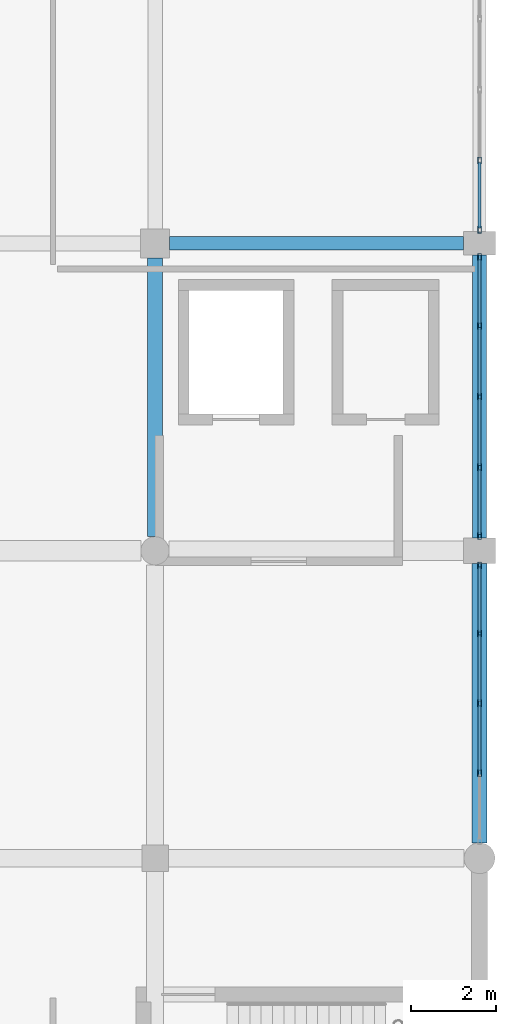
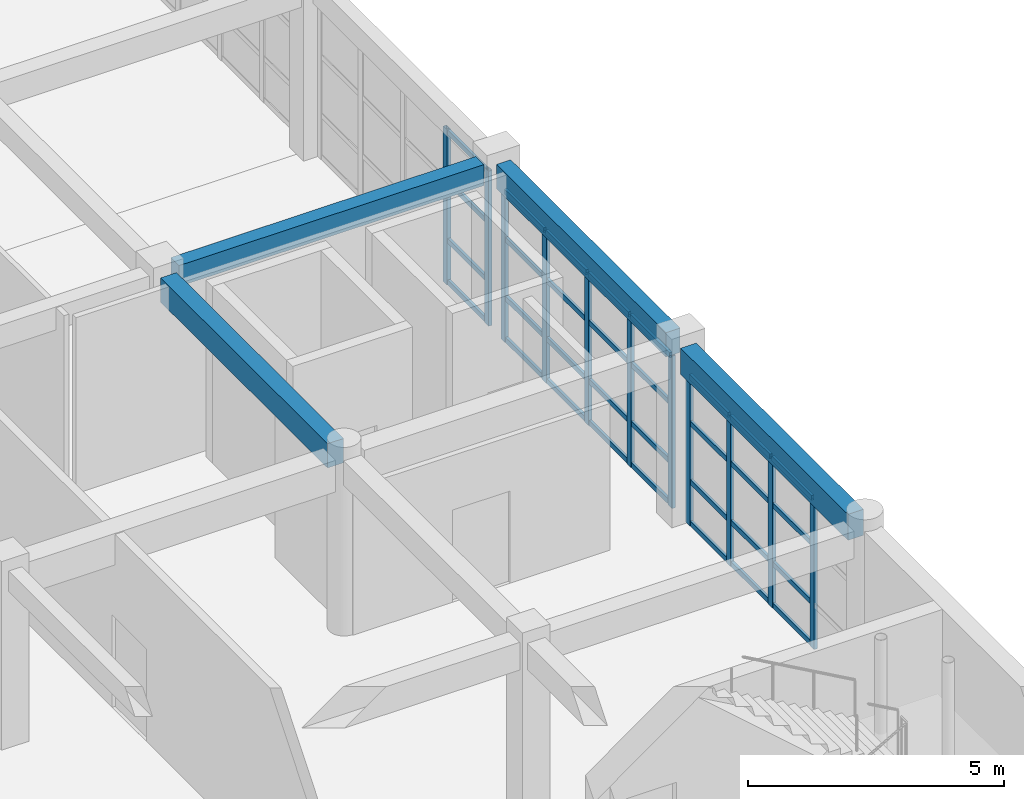
# One storey, part 100 of 160: 43 members, 4 beams, 3 elements without a shape of their own.
"""IFC4 building model written with IfcOpenShell, lengths in metres."""

from ifc_helpers import new_model, si_unit, direction, frame, origin, origin_2d, place, context, subcontext, project, spatial, rectangle, hollow_rectangle, extrude, material, material_profile, profile_set, type_object, element, aggregate, save


model = new_model("IFC4")

# Units and contexts
model_context = context("Model", 3, precision=1e-05, world=origin(), true_north=direction((0.0, 1.0)))
body_context = subcontext(model_context, "Body", "Model", "MODEL_VIEW")
ifc_project = project(units=[si_unit("LENGTHUNIT", "METRE"), si_unit("AREAUNIT", "SQUARE_METRE"), si_unit("VOLUMEUNIT", "CUBIC_METRE"), si_unit("PLANEANGLEUNIT", "RADIAN"), si_unit("MASSUNIT", "GRAM", prefix="KILO")], contexts=[model_context])

# Site, building, storey
site_placement = place(None, origin())
site = spatial("IfcSite", under=ifc_project, at=site_placement, CompositionType="ELEMENT")
building_placement = place(site_placement, origin())
building = spatial("IfcBuilding", under=site, at=building_placement, Name="Kharva Crest Polytechnic", CompositionType="ELEMENT")
storey_placement = place(building_placement, frame((0.0, 0.0, 4.5)))
storey = spatial("IfcBuildingStorey", under=building, at=storey_placement, Name="L01", CompositionType="ELEMENT", Elevation=4.5)

# Beams
ifc_material_1 = material(Name="Concrete C35/45", Category="concrete")
ifc_material_profile_1 = material_profile(ifc_material_1, rectangle(XDim=0.320068359375, YDim=0.5, at=origin_2d()), Name="RECT 320 X 500")
ifc_profile_set_1 = profile_set([ifc_material_profile_1], Name="Concrete C35/45")
beam_type_1 = type_object("IfcBeamType", Name="BM-RC-320X500", PredefinedType="BEAM", material=ifc_profile_set_1)
beam_1_placement = place(storey_placement, frame((176.739990234375, 93.199951171875, 3.969970703125), z_axis=(1.0, 0.0, 0.0), x_axis=(0.0, 1.0, 0.0)))
element("IfcBeam", 1, at=beam_1_placement, inside=storey, type_object=beam_type_1, Name="L01 Beam N/23-24", PredefinedType="BEAM", context=body_context, shape_type="SweptSolid", body=[
    extrude(rectangle(XDim=0.320068359375, YDim=0.5, at=origin_2d()), origin(), (0.0, 0.0, 1.0), 6.885009765625),
])
ifc_material_profile_2 = material_profile(ifc_material_1, rectangle(XDim=0.360107421875, YDim=0.580078125, at=origin_2d()), Name="RECT 360 X 580")
ifc_profile_set_2 = profile_set([ifc_material_profile_2], Name="Concrete C35/45")
beam_type_2 = type_object("IfcBeamType", Name="BM-RC-360X580", PredefinedType="BEAM", material=ifc_profile_set_2)
beam_2_placement = place(storey_placement, frame((176.39990234375, 86.330078125, 3.929931640625), z_axis=(0.0, 1.0, 0.0), x_axis=(-1.0, 0.0, 0.0)))
element("IfcBeam", 2, at=beam_2_placement, inside=storey, type_object=beam_type_2, Name="L01 Girder 23/M-N", PredefinedType="BEAM", context=body_context, shape_type="SweptSolid", body=[
    extrude(rectangle(XDim=0.360107421875, YDim=0.580078125, at=origin_2d()), origin(), (0.0, 0.0, 1.0), 6.530029296875),
])

# Curtain wall, members
ifc_material_2 = material(Name="Tempered insulated glass", Category="glass")
curtain_wall_type = type_object("IfcCurtainWallType", Name="CW-SYS-COURT", PredefinedType="USERDEFINED", material=ifc_material_2)
curtain_wall_1_placement = place(storey_placement, origin())
curtain_wall_1 = element("IfcCurtainWall", 3, at=curtain_wall_1_placement, inside=storey, type_object=curtain_wall_type, Name="L01 Glazed Curtain Wall CW-062", ObjectType="CURTAIN WALL", PredefinedType="USERDEFINED")
ifc_material_3 = material(Name="Steel S355", Category="steel")
ifc_material_profile_3 = material_profile(ifc_material_3, hollow_rectangle(XDim=0.080078125, YDim=0.159912109375, WallThickness=0.0048828125, at=origin_2d()), Name="RHS 160X80X5.0")
ifc_profile_set_3 = profile_set([ifc_material_profile_3], Name="Steel S355")
member_type_1 = type_object("IfcMemberType", Name="CWM-RHS160X80", PredefinedType="MULLION", material=ifc_profile_set_3)
member_1_placement = place(storey_placement, frame((184.0, 80.797607421875, 0.0), z_axis=(0.0, 0.0, 1.0), x_axis=(-1.0, 0.0, 0.0)))
member_1 = element("IfcMember", 4, at=member_1_placement, type_object=member_type_1, Name="CW-062 mullion 2", PredefinedType="MULLION", context=body_context, shape_type="SweptSolid", body=[
    extrude(hollow_rectangle(XDim=0.080078125, YDim=0.159912109375, WallThickness=0.0048828125, at=origin_2d()), origin(), (0.0, 0.0, 1.0), 3.60009765625),
])
member_2_placement = place(storey_placement, frame((184.0, 82.429931640625, 0.0), z_axis=(0.0, 0.0, 1.0), x_axis=(-1.0, 0.0, 0.0)))
member_2 = element("IfcMember", 5, at=member_2_placement, type_object=member_type_1, Name="CW-062 mullion 3", PredefinedType="MULLION", context=body_context, shape_type="SweptSolid", body=[
    extrude(hollow_rectangle(XDim=0.080078125, YDim=0.159912109375, WallThickness=0.0048828125, at=origin_2d()), origin(), (0.0, 0.0, 1.0), 3.60009765625),
])
member_3_placement = place(storey_placement, frame((184.0, 84.0625, 0.0), z_axis=(0.0, 0.0, 1.0), x_axis=(-1.0, 0.0, 0.0)))
member_3 = element("IfcMember", 6, at=member_3_placement, type_object=member_type_1, Name="CW-062 mullion 4", PredefinedType="MULLION", context=body_context, shape_type="SweptSolid", body=[
    extrude(hollow_rectangle(XDim=0.080078125, YDim=0.159912109375, WallThickness=0.0048828125, at=origin_2d()), origin(), (0.0, 0.0, 1.0), 3.60009765625),
])
member_4_placement = place(storey_placement, frame((184.0, 85.655029296875, 0.0), z_axis=(0.0, 0.0, 1.0), x_axis=(-1.0, 0.0, 0.0)))
member_4 = element("IfcMember", 7, at=member_4_placement, type_object=member_type_1, Name="CW-062 mullion 5", PredefinedType="MULLION", context=body_context, shape_type="SweptSolid", body=[
    extrude(hollow_rectangle(XDim=0.080078125, YDim=0.159912109375, WallThickness=0.0048828125, at=origin_2d()), origin(), (0.0, 0.0, 1.0), 3.60009765625),
])

curtain_wall_2_placement = place(storey_placement, origin())
curtain_wall_2 = element("IfcCurtainWall", 8, at=curtain_wall_2_placement, inside=storey, type_object=curtain_wall_type, Name="L01 Glazed Curtain Wall CW-063", ObjectType="CURTAIN WALL", PredefinedType="USERDEFINED")
member_5_placement = place(storey_placement, frame((184.0, 86.344970703125, 0.0), z_axis=(0.0, 0.0, 1.0), x_axis=(-1.0, 0.0, 0.0)))
member_5 = element("IfcMember", 9, at=member_5_placement, type_object=member_type_1, Name="CW-063 mullion 1", PredefinedType="MULLION", context=body_context, shape_type="SweptSolid", body=[
    extrude(hollow_rectangle(XDim=0.080078125, YDim=0.159912109375, WallThickness=0.0048828125, at=origin_2d()), origin(), (0.0, 0.0, 1.0), 3.639892578125),
])
member_6_placement = place(storey_placement, frame((184.0, 87.958740234375, 0.0), z_axis=(0.0, 0.0, 1.0), x_axis=(-1.0, 0.0, 0.0)))
member_6 = element("IfcMember", 10, at=member_6_placement, type_object=member_type_1, Name="CW-063 mullion 2", PredefinedType="MULLION", context=body_context, shape_type="SweptSolid", body=[
    extrude(hollow_rectangle(XDim=0.080078125, YDim=0.159912109375, WallThickness=0.0048828125, at=origin_2d()), origin(), (0.0, 0.0, 1.0), 3.639892578125),
])
member_7_placement = place(storey_placement, frame((184.0, 89.612548828125, 0.0), z_axis=(0.0, 0.0, 1.0), x_axis=(-1.0, 0.0, 0.0)))
member_7 = element("IfcMember", 11, at=member_7_placement, type_object=member_type_1, Name="CW-063 mullion 3", PredefinedType="MULLION", context=body_context, shape_type="SweptSolid", body=[
    extrude(hollow_rectangle(XDim=0.080078125, YDim=0.159912109375, WallThickness=0.0048828125, at=origin_2d()), origin(), (0.0, 0.0, 1.0), 3.639892578125),
])
member_8_placement = place(storey_placement, frame((184.0, 91.266357421875, 0.0), z_axis=(0.0, 0.0, 1.0), x_axis=(-1.0, 0.0, 0.0)))
member_8 = element("IfcMember", 12, at=member_8_placement, type_object=member_type_1, Name="CW-063 mullion 4", PredefinedType="MULLION", context=body_context, shape_type="SweptSolid", body=[
    extrude(hollow_rectangle(XDim=0.080078125, YDim=0.159912109375, WallThickness=0.0048828125, at=origin_2d()), origin(), (0.0, 0.0, 1.0), 3.639892578125),
])
member_9_placement = place(storey_placement, frame((184.0, 92.8798828125, 0.0), z_axis=(0.0, 0.0, 1.0), x_axis=(-1.0, 0.0, 0.0)))
member_9 = element("IfcMember", 13, at=member_9_placement, type_object=member_type_1, Name="CW-063 mullion 5", PredefinedType="MULLION", context=body_context, shape_type="SweptSolid", body=[
    extrude(hollow_rectangle(XDim=0.080078125, YDim=0.159912109375, WallThickness=0.0048828125, at=origin_2d()), origin(), (0.0, 0.0, 1.0), 3.639892578125),
])

curtain_wall_3_placement = place(storey_placement, origin())
curtain_wall_3 = element("IfcCurtainWall", 14, at=curtain_wall_3_placement, inside=storey, type_object=curtain_wall_type, Name="L01 Glazed Curtain Wall CW-064", ObjectType="CURTAIN WALL", PredefinedType="USERDEFINED")
member_10_placement = place(storey_placement, frame((184.0, 93.52001953125, 0.0), z_axis=(0.0, 0.0, 1.0), x_axis=(-1.0, 0.0, 0.0)))
member_10 = element("IfcMember", 15, at=member_10_placement, type_object=member_type_1, Name="CW-064 mullion 1", PredefinedType="MULLION", context=body_context, shape_type="SweptSolid", body=[
    extrude(hollow_rectangle(XDim=0.080078125, YDim=0.159912109375, WallThickness=0.0048828125, at=origin_2d()), origin(), (0.0, 0.0, 1.0), 3.699951171875),
])
member_11_placement = place(storey_placement, frame((184.0, 95.139892578125, 0.0), z_axis=(0.0, 0.0, 1.0), x_axis=(-1.0, 0.0, 0.0)))
member_11 = element("IfcMember", 16, at=member_11_placement, type_object=member_type_1, Name="CW-064 mullion 2", PredefinedType="MULLION", context=body_context, shape_type="SweptSolid", body=[
    extrude(hollow_rectangle(XDim=0.080078125, YDim=0.159912109375, WallThickness=0.0048828125, at=origin_2d()), origin(), (0.0, 0.0, 1.0), 3.699951171875),
])

# Member
ifc_material_profile_4 = material_profile(ifc_material_3, hollow_rectangle(XDim=0.06005859375, YDim=0.1201171875, WallThickness=0.00390625, at=origin_2d()), Name="RHS 120X60X4.0")
ifc_profile_set_4 = profile_set([ifc_material_profile_4], Name="Steel S355")
member_type_2 = type_object("IfcMemberType", Name="CWT-RHS120X60", PredefinedType="USERDEFINED", material=ifc_profile_set_4)
member_12_placement = place(storey_placement, frame((184.0, 80.83740234375, 0.06005859375), z_axis=(0.0, 1.0, 0.0), x_axis=(-1.0, 0.0, 0.0)))
member_12 = element("IfcMember", 17, at=member_12_placement, type_object=member_type_2, Name="CW-062 transom 2.1", ObjectType="TRANSOM", PredefinedType="USERDEFINED", context=body_context, shape_type="SweptSolid", body=[
    extrude(hollow_rectangle(XDim=0.06005859375, YDim=0.1201171875, WallThickness=0.00390625, at=origin_2d()), origin(), (0.0, 0.0, 1.0), 1.552490234375),
])

member_13_placement = place(storey_placement, frame((184.0, 80.83740234375, 1.050048828125), z_axis=(0.0, 1.0, 0.0), x_axis=(-1.0, 0.0, 0.0)))
member_13 = element("IfcMember", 18, at=member_13_placement, type_object=member_type_2, Name="CW-062 transom 2.2", ObjectType="TRANSOM", PredefinedType="USERDEFINED", context=body_context, shape_type="SweptSolid", body=[
    extrude(hollow_rectangle(XDim=0.06005859375, YDim=0.1201171875, WallThickness=0.00390625, at=origin_2d()), origin(), (0.0, 0.0, 1.0), 1.552490234375),
])

member_14_placement = place(storey_placement, frame((184.0, 80.83740234375, 2.449951171875), z_axis=(0.0, 1.0, 0.0), x_axis=(-1.0, 0.0, 0.0)))
member_14 = element("IfcMember", 19, at=member_14_placement, type_object=member_type_2, Name="CW-062 transom 2.3", ObjectType="TRANSOM", PredefinedType="USERDEFINED", context=body_context, shape_type="SweptSolid", body=[
    extrude(hollow_rectangle(XDim=0.06005859375, YDim=0.1201171875, WallThickness=0.00390625, at=origin_2d()), origin(), (0.0, 0.0, 1.0), 1.552490234375),
])

member_15_placement = place(storey_placement, frame((184.0, 80.83740234375, 3.5400390625), z_axis=(0.0, 1.0, 0.0), x_axis=(-1.0, 0.0, 0.0)))
member_15 = element("IfcMember", 20, at=member_15_placement, type_object=member_type_2, Name="CW-062 transom 2.4", ObjectType="TRANSOM", PredefinedType="USERDEFINED", context=body_context, shape_type="SweptSolid", body=[
    extrude(hollow_rectangle(XDim=0.06005859375, YDim=0.1201171875, WallThickness=0.00390625, at=origin_2d()), origin(), (0.0, 0.0, 1.0), 1.552490234375),
])

member_16_placement = place(storey_placement, frame((184.0, 82.469970703125, 0.06005859375), z_axis=(0.0, 1.0, 0.0), x_axis=(-1.0, 0.0, 0.0)))
member_16 = element("IfcMember", 21, at=member_16_placement, type_object=member_type_2, Name="CW-062 transom 3.1", ObjectType="TRANSOM", PredefinedType="USERDEFINED", context=body_context, shape_type="SweptSolid", body=[
    extrude(hollow_rectangle(XDim=0.06005859375, YDim=0.1201171875, WallThickness=0.00390625, at=origin_2d()), origin(), (0.0, 0.0, 1.0), 1.552490234375),
])

member_17_placement = place(storey_placement, frame((184.0, 82.469970703125, 1.050048828125), z_axis=(0.0, 1.0, 0.0), x_axis=(-1.0, 0.0, 0.0)))
member_17 = element("IfcMember", 22, at=member_17_placement, type_object=member_type_2, Name="CW-062 transom 3.2", ObjectType="TRANSOM", PredefinedType="USERDEFINED", context=body_context, shape_type="SweptSolid", body=[
    extrude(hollow_rectangle(XDim=0.06005859375, YDim=0.1201171875, WallThickness=0.00390625, at=origin_2d()), origin(), (0.0, 0.0, 1.0), 1.552490234375),
])

member_18_placement = place(storey_placement, frame((184.0, 82.469970703125, 2.449951171875), z_axis=(0.0, 1.0, 0.0), x_axis=(-1.0, 0.0, 0.0)))
member_18 = element("IfcMember", 23, at=member_18_placement, type_object=member_type_2, Name="CW-062 transom 3.3", ObjectType="TRANSOM", PredefinedType="USERDEFINED", context=body_context, shape_type="SweptSolid", body=[
    extrude(hollow_rectangle(XDim=0.06005859375, YDim=0.1201171875, WallThickness=0.00390625, at=origin_2d()), origin(), (0.0, 0.0, 1.0), 1.552490234375),
])

member_19_placement = place(storey_placement, frame((184.0, 82.469970703125, 3.5400390625), z_axis=(0.0, 1.0, 0.0), x_axis=(-1.0, 0.0, 0.0)))
member_19 = element("IfcMember", 24, at=member_19_placement, type_object=member_type_2, Name="CW-062 transom 3.4", ObjectType="TRANSOM", PredefinedType="USERDEFINED", context=body_context, shape_type="SweptSolid", body=[
    extrude(hollow_rectangle(XDim=0.06005859375, YDim=0.1201171875, WallThickness=0.00390625, at=origin_2d()), origin(), (0.0, 0.0, 1.0), 1.552490234375),
])

member_20_placement = place(storey_placement, frame((184.0, 84.1025390625, 0.06005859375), z_axis=(0.0, 1.0, 0.0), x_axis=(-1.0, 0.0, 0.0)))
member_20 = element("IfcMember", 25, at=member_20_placement, type_object=member_type_2, Name="CW-062 transom 4.1", ObjectType="TRANSOM", PredefinedType="USERDEFINED", context=body_context, shape_type="SweptSolid", body=[
    extrude(hollow_rectangle(XDim=0.06005859375, YDim=0.1201171875, WallThickness=0.00390625, at=origin_2d()), origin(), (0.0, 0.0, 1.0), 1.512451171875),
])

member_21_placement = place(storey_placement, frame((184.0, 84.1025390625, 1.050048828125), z_axis=(0.0, 1.0, 0.0), x_axis=(-1.0, 0.0, 0.0)))
member_21 = element("IfcMember", 26, at=member_21_placement, type_object=member_type_2, Name="CW-062 transom 4.2", ObjectType="TRANSOM", PredefinedType="USERDEFINED", context=body_context, shape_type="SweptSolid", body=[
    extrude(hollow_rectangle(XDim=0.06005859375, YDim=0.1201171875, WallThickness=0.00390625, at=origin_2d()), origin(), (0.0, 0.0, 1.0), 1.512451171875),
])

member_22_placement = place(storey_placement, frame((184.0, 84.1025390625, 2.449951171875), z_axis=(0.0, 1.0, 0.0), x_axis=(-1.0, 0.0, 0.0)))
member_22 = element("IfcMember", 27, at=member_22_placement, type_object=member_type_2, Name="CW-062 transom 4.3", ObjectType="TRANSOM", PredefinedType="USERDEFINED", context=body_context, shape_type="SweptSolid", body=[
    extrude(hollow_rectangle(XDim=0.06005859375, YDim=0.1201171875, WallThickness=0.00390625, at=origin_2d()), origin(), (0.0, 0.0, 1.0), 1.512451171875),
])

member_23_placement = place(storey_placement, frame((184.0, 84.1025390625, 3.5400390625), z_axis=(0.0, 1.0, 0.0), x_axis=(-1.0, 0.0, 0.0)))
member_23 = element("IfcMember", 28, at=member_23_placement, type_object=member_type_2, Name="CW-062 transom 4.4", ObjectType="TRANSOM", PredefinedType="USERDEFINED", context=body_context, shape_type="SweptSolid", body=[
    extrude(hollow_rectangle(XDim=0.06005859375, YDim=0.1201171875, WallThickness=0.00390625, at=origin_2d()), origin(), (0.0, 0.0, 1.0), 1.512451171875),
])

aggregate(curtain_wall_1, [member_1, member_2, member_3, member_4, member_12, member_13, member_14, member_15, member_16, member_17, member_18, member_19, member_20, member_21, member_22, member_23])

member_24_placement = place(storey_placement, frame((184.0, 86.385009765625, 0.06005859375), z_axis=(0.0, 1.0, 0.0), x_axis=(-1.0, 0.0, 0.0)))
member_24 = element("IfcMember", 29, at=member_24_placement, type_object=member_type_2, Name="CW-063 transom 1.1", ObjectType="TRANSOM", PredefinedType="USERDEFINED", context=body_context, shape_type="SweptSolid", body=[
    extrude(hollow_rectangle(XDim=0.06005859375, YDim=0.1201171875, WallThickness=0.00390625, at=origin_2d()), origin(), (0.0, 0.0, 1.0), 1.53369140625),
])

member_25_placement = place(storey_placement, frame((184.0, 86.385009765625, 1.050048828125), z_axis=(0.0, 1.0, 0.0), x_axis=(-1.0, 0.0, 0.0)))
member_25 = element("IfcMember", 30, at=member_25_placement, type_object=member_type_2, Name="CW-063 transom 1.2", ObjectType="TRANSOM", PredefinedType="USERDEFINED", context=body_context, shape_type="SweptSolid", body=[
    extrude(hollow_rectangle(XDim=0.06005859375, YDim=0.1201171875, WallThickness=0.00390625, at=origin_2d()), origin(), (0.0, 0.0, 1.0), 1.53369140625),
])

member_26_placement = place(storey_placement, frame((184.0, 86.385009765625, 2.449951171875), z_axis=(0.0, 1.0, 0.0), x_axis=(-1.0, 0.0, 0.0)))
member_26 = element("IfcMember", 31, at=member_26_placement, type_object=member_type_2, Name="CW-063 transom 1.3", ObjectType="TRANSOM", PredefinedType="USERDEFINED", context=body_context, shape_type="SweptSolid", body=[
    extrude(hollow_rectangle(XDim=0.06005859375, YDim=0.1201171875, WallThickness=0.00390625, at=origin_2d()), origin(), (0.0, 0.0, 1.0), 1.53369140625),
])

member_27_placement = place(storey_placement, frame((184.0, 86.385009765625, 3.580078125), z_axis=(0.0, 1.0, 0.0), x_axis=(-1.0, 0.0, 0.0)))
member_27 = element("IfcMember", 32, at=member_27_placement, type_object=member_type_2, Name="CW-063 transom 1.4", ObjectType="TRANSOM", PredefinedType="USERDEFINED", context=body_context, shape_type="SweptSolid", body=[
    extrude(hollow_rectangle(XDim=0.06005859375, YDim=0.1201171875, WallThickness=0.00390625, at=origin_2d()), origin(), (0.0, 0.0, 1.0), 1.53369140625),
])

member_28_placement = place(storey_placement, frame((184.0, 87.998779296875, 0.06005859375), z_axis=(0.0, 1.0, 0.0), x_axis=(-1.0, 0.0, 0.0)))
member_28 = element("IfcMember", 33, at=member_28_placement, type_object=member_type_2, Name="CW-063 transom 2.1", ObjectType="TRANSOM", PredefinedType="USERDEFINED", context=body_context, shape_type="SweptSolid", body=[
    extrude(hollow_rectangle(XDim=0.06005859375, YDim=0.1201171875, WallThickness=0.00390625, at=origin_2d()), origin(), (0.0, 0.0, 1.0), 1.57373046875),
])

member_29_placement = place(storey_placement, frame((184.0, 87.998779296875, 1.050048828125), z_axis=(0.0, 1.0, 0.0), x_axis=(-1.0, 0.0, 0.0)))
member_29 = element("IfcMember", 34, at=member_29_placement, type_object=member_type_2, Name="CW-063 transom 2.2", ObjectType="TRANSOM", PredefinedType="USERDEFINED", context=body_context, shape_type="SweptSolid", body=[
    extrude(hollow_rectangle(XDim=0.06005859375, YDim=0.1201171875, WallThickness=0.00390625, at=origin_2d()), origin(), (0.0, 0.0, 1.0), 1.57373046875),
])

member_30_placement = place(storey_placement, frame((184.0, 87.998779296875, 2.449951171875), z_axis=(0.0, 1.0, 0.0), x_axis=(-1.0, 0.0, 0.0)))
member_30 = element("IfcMember", 35, at=member_30_placement, type_object=member_type_2, Name="CW-063 transom 2.3", ObjectType="TRANSOM", PredefinedType="USERDEFINED", context=body_context, shape_type="SweptSolid", body=[
    extrude(hollow_rectangle(XDim=0.06005859375, YDim=0.1201171875, WallThickness=0.00390625, at=origin_2d()), origin(), (0.0, 0.0, 1.0), 1.57373046875),
])

member_31_placement = place(storey_placement, frame((184.0, 87.998779296875, 3.580078125), z_axis=(0.0, 1.0, 0.0), x_axis=(-1.0, 0.0, 0.0)))
member_31 = element("IfcMember", 36, at=member_31_placement, type_object=member_type_2, Name="CW-063 transom 2.4", ObjectType="TRANSOM", PredefinedType="USERDEFINED", context=body_context, shape_type="SweptSolid", body=[
    extrude(hollow_rectangle(XDim=0.06005859375, YDim=0.1201171875, WallThickness=0.00390625, at=origin_2d()), origin(), (0.0, 0.0, 1.0), 1.57373046875),
])

member_32_placement = place(storey_placement, frame((184.0, 89.652587890625, 0.06005859375), z_axis=(0.0, 1.0, 0.0), x_axis=(-1.0, 0.0, 0.0)))
member_32 = element("IfcMember", 37, at=member_32_placement, type_object=member_type_2, Name="CW-063 transom 3.1", ObjectType="TRANSOM", PredefinedType="USERDEFINED", context=body_context, shape_type="SweptSolid", body=[
    extrude(hollow_rectangle(XDim=0.06005859375, YDim=0.1201171875, WallThickness=0.00390625, at=origin_2d()), origin(), (0.0, 0.0, 1.0), 1.57373046875),
])

member_33_placement = place(storey_placement, frame((184.0, 89.652587890625, 1.050048828125), z_axis=(0.0, 1.0, 0.0), x_axis=(-1.0, 0.0, 0.0)))
member_33 = element("IfcMember", 38, at=member_33_placement, type_object=member_type_2, Name="CW-063 transom 3.2", ObjectType="TRANSOM", PredefinedType="USERDEFINED", context=body_context, shape_type="SweptSolid", body=[
    extrude(hollow_rectangle(XDim=0.06005859375, YDim=0.1201171875, WallThickness=0.00390625, at=origin_2d()), origin(), (0.0, 0.0, 1.0), 1.57373046875),
])

member_34_placement = place(storey_placement, frame((184.0, 89.652587890625, 2.449951171875), z_axis=(0.0, 1.0, 0.0), x_axis=(-1.0, 0.0, 0.0)))
member_34 = element("IfcMember", 39, at=member_34_placement, type_object=member_type_2, Name="CW-063 transom 3.3", ObjectType="TRANSOM", PredefinedType="USERDEFINED", context=body_context, shape_type="SweptSolid", body=[
    extrude(hollow_rectangle(XDim=0.06005859375, YDim=0.1201171875, WallThickness=0.00390625, at=origin_2d()), origin(), (0.0, 0.0, 1.0), 1.57373046875),
])

member_35_placement = place(storey_placement, frame((184.0, 89.652587890625, 3.580078125), z_axis=(0.0, 1.0, 0.0), x_axis=(-1.0, 0.0, 0.0)))
member_35 = element("IfcMember", 40, at=member_35_placement, type_object=member_type_2, Name="CW-063 transom 3.4", ObjectType="TRANSOM", PredefinedType="USERDEFINED", context=body_context, shape_type="SweptSolid", body=[
    extrude(hollow_rectangle(XDim=0.06005859375, YDim=0.1201171875, WallThickness=0.00390625, at=origin_2d()), origin(), (0.0, 0.0, 1.0), 1.57373046875),
])

member_36_placement = place(storey_placement, frame((184.0, 91.30615234375, 0.06005859375), z_axis=(0.0, 1.0, 0.0), x_axis=(-1.0, 0.0, 0.0)))
member_36 = element("IfcMember", 41, at=member_36_placement, type_object=member_type_2, Name="CW-063 transom 4.1", ObjectType="TRANSOM", PredefinedType="USERDEFINED", context=body_context, shape_type="SweptSolid", body=[
    extrude(hollow_rectangle(XDim=0.06005859375, YDim=0.1201171875, WallThickness=0.00390625, at=origin_2d()), origin(), (0.0, 0.0, 1.0), 1.533935546875),
])

member_37_placement = place(storey_placement, frame((184.0, 91.30615234375, 1.050048828125), z_axis=(0.0, 1.0, 0.0), x_axis=(-1.0, 0.0, 0.0)))
member_37 = element("IfcMember", 42, at=member_37_placement, type_object=member_type_2, Name="CW-063 transom 4.2", ObjectType="TRANSOM", PredefinedType="USERDEFINED", context=body_context, shape_type="SweptSolid", body=[
    extrude(hollow_rectangle(XDim=0.06005859375, YDim=0.1201171875, WallThickness=0.00390625, at=origin_2d()), origin(), (0.0, 0.0, 1.0), 1.533935546875),
])

member_38_placement = place(storey_placement, frame((184.0, 91.30615234375, 2.449951171875), z_axis=(0.0, 1.0, 0.0), x_axis=(-1.0, 0.0, 0.0)))
member_38 = element("IfcMember", 43, at=member_38_placement, type_object=member_type_2, Name="CW-063 transom 4.3", ObjectType="TRANSOM", PredefinedType="USERDEFINED", context=body_context, shape_type="SweptSolid", body=[
    extrude(hollow_rectangle(XDim=0.06005859375, YDim=0.1201171875, WallThickness=0.00390625, at=origin_2d()), origin(), (0.0, 0.0, 1.0), 1.533935546875),
])

member_39_placement = place(storey_placement, frame((184.0, 91.30615234375, 3.580078125), z_axis=(0.0, 1.0, 0.0), x_axis=(-1.0, 0.0, 0.0)))
member_39 = element("IfcMember", 44, at=member_39_placement, type_object=member_type_2, Name="CW-063 transom 4.4", ObjectType="TRANSOM", PredefinedType="USERDEFINED", context=body_context, shape_type="SweptSolid", body=[
    extrude(hollow_rectangle(XDim=0.06005859375, YDim=0.1201171875, WallThickness=0.00390625, at=origin_2d()), origin(), (0.0, 0.0, 1.0), 1.533935546875),
])

aggregate(curtain_wall_2, [member_5, member_6, member_7, member_8, member_9, member_24, member_25, member_26, member_27, member_28, member_29, member_30, member_31, member_32, member_33, member_34, member_35, member_36, member_37, member_38, member_39])

member_40_placement = place(storey_placement, frame((184.0, 93.56005859375, 0.06005859375), z_axis=(0.0, 1.0, 0.0), x_axis=(-1.0, 0.0, 0.0)))
member_40 = element("IfcMember", 45, at=member_40_placement, type_object=member_type_2, Name="CW-064 transom 1.1", ObjectType="TRANSOM", PredefinedType="USERDEFINED", context=body_context, shape_type="SweptSolid", body=[
    extrude(hollow_rectangle(XDim=0.06005859375, YDim=0.1201171875, WallThickness=0.00390625, at=origin_2d()), origin(), (0.0, 0.0, 1.0), 1.5400390625),
])

member_41_placement = place(storey_placement, frame((184.0, 93.56005859375, 1.050048828125), z_axis=(0.0, 1.0, 0.0), x_axis=(-1.0, 0.0, 0.0)))
member_41 = element("IfcMember", 46, at=member_41_placement, type_object=member_type_2, Name="CW-064 transom 1.2", ObjectType="TRANSOM", PredefinedType="USERDEFINED", context=body_context, shape_type="SweptSolid", body=[
    extrude(hollow_rectangle(XDim=0.06005859375, YDim=0.1201171875, WallThickness=0.00390625, at=origin_2d()), origin(), (0.0, 0.0, 1.0), 1.5400390625),
])

member_42_placement = place(storey_placement, frame((184.0, 93.56005859375, 2.449951171875), z_axis=(0.0, 1.0, 0.0), x_axis=(-1.0, 0.0, 0.0)))
member_42 = element("IfcMember", 47, at=member_42_placement, type_object=member_type_2, Name="CW-064 transom 1.3", ObjectType="TRANSOM", PredefinedType="USERDEFINED", context=body_context, shape_type="SweptSolid", body=[
    extrude(hollow_rectangle(XDim=0.06005859375, YDim=0.1201171875, WallThickness=0.00390625, at=origin_2d()), origin(), (0.0, 0.0, 1.0), 1.5400390625),
])

member_43_placement = place(storey_placement, frame((184.0, 93.56005859375, 3.639892578125), z_axis=(0.0, 1.0, 0.0), x_axis=(-1.0, 0.0, 0.0)))
member_43 = element("IfcMember", 48, at=member_43_placement, type_object=member_type_2, Name="CW-064 transom 1.4", ObjectType="TRANSOM", PredefinedType="USERDEFINED", context=body_context, shape_type="SweptSolid", body=[
    extrude(hollow_rectangle(XDim=0.06005859375, YDim=0.1201171875, WallThickness=0.00390625, at=origin_2d()), origin(), (0.0, 0.0, 1.0), 1.5400390625),
])

aggregate(curtain_wall_3, [member_10, member_11, member_40, member_41, member_42, member_43])

# Beams
ifc_material_profile_5 = material_profile(ifc_material_1, rectangle(XDim=0.320068359375, YDim=0.580078125, at=origin_2d()), Name="RECT 320 X 580")
ifc_profile_set_5 = profile_set([ifc_material_profile_5], Name="Concrete C35/45")
beam_type_3 = type_object("IfcBeamType", Name="SP-RC-320X580", PredefinedType="SPANDREL", material=ifc_profile_set_5)
beam_3_placement = place(storey_placement, frame((184.0, 86.300048828125, 3.929931640625), z_axis=(0.0, 1.0, 0.0), x_axis=(-1.0, 0.0, 0.0)))
element("IfcBeam", 49, at=beam_3_placement, inside=storey, type_object=beam_type_3, Name="L01 Girder 24/M-N", PredefinedType="SPANDREL", context=body_context, shape_type="SweptSolid", body=[
    extrude(rectangle(XDim=0.320068359375, YDim=0.580078125, at=origin_2d()), origin(), (0.0, 0.0, 1.0), 6.625),
])
ifc_material_profile_6 = material_profile(ifc_material_1, rectangle(XDim=0.35009765625, YDim=0.6201171875, at=origin_2d()), Name="RECT 350 X 620")
ifc_profile_set_6 = profile_set([ifc_material_profile_6], Name="Concrete C35/45")
beam_type_4 = type_object("IfcBeamType", Name="SP-RC-350X620", PredefinedType="SPANDREL", material=ifc_profile_set_6)
beam_4_placement = place(storey_placement, frame((184.0, 79.159912109375, 3.909912109375), z_axis=(0.0, 1.0, 0.0), x_axis=(-1.0, 0.0, 0.0)))
element("IfcBeam", 50, at=beam_4_placement, inside=storey, type_object=beam_type_4, Name="L01 Girder 24/L-M", PredefinedType="SPANDREL", context=body_context, shape_type="SweptSolid", body=[
    extrude(rectangle(XDim=0.35009765625, YDim=0.6201171875, at=origin_2d()), origin(), (0.0, 0.0, 1.0), 6.5400390625),
])

save(model, "model.ifc")
